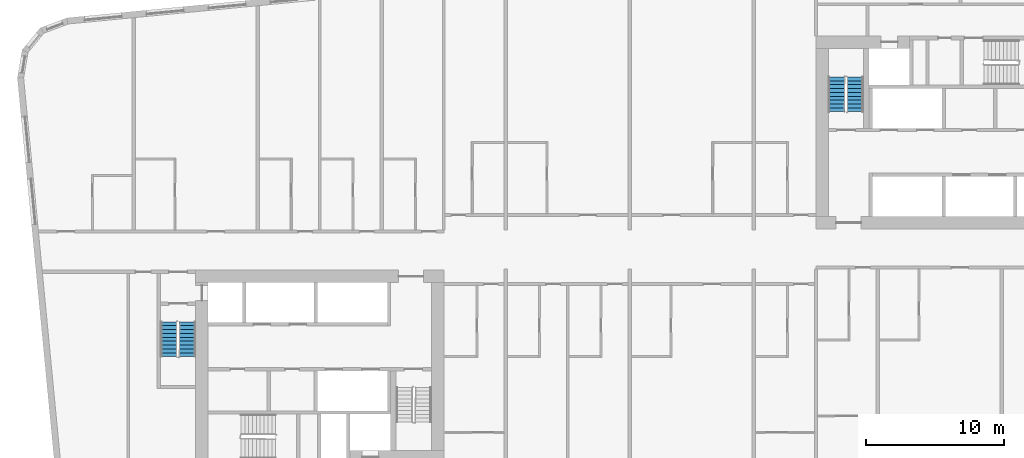
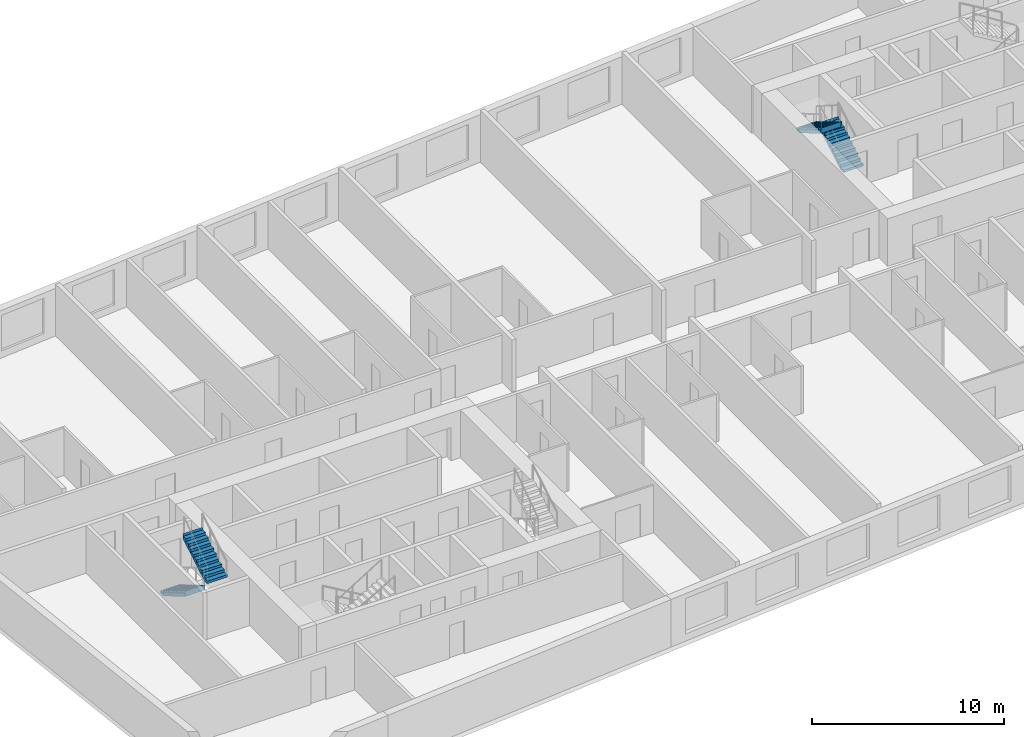
# One storey, part 10 of 12: 4 stair flights, 2 elements without a shape of their own.
"""IFC4 building model written with IfcOpenShell, lengths in metres."""

from ifc_helpers import new_model, si_unit, direction, frame, origin, place, context, subcontext, project, spatial, faceted_brep, material, type_object, element, aggregate, save


model = new_model("IFC4")

# Units and contexts
model_context = context("Model", 3, precision=1e-05, world=origin(), true_north=direction((0.0, 1.0)))
body_context = subcontext(model_context, "Body", "Model", "MODEL_VIEW")
ifc_project = project(units=[si_unit("LENGTHUNIT", "METRE"), si_unit("AREAUNIT", "SQUARE_METRE"), si_unit("VOLUMEUNIT", "CUBIC_METRE"), si_unit("PLANEANGLEUNIT", "RADIAN"), si_unit("MASSUNIT", "GRAM", prefix="KILO")], contexts=[model_context])

# Site, building, storey
site_placement = place(None, origin())
site = spatial("IfcSite", under=ifc_project, at=site_placement, CompositionType="ELEMENT")
building_placement = place(site_placement, origin())
building = spatial("IfcBuilding", under=site, at=building_placement, Name="Kajstack Hotel Tower", CompositionType="ELEMENT")
storey_placement = place(building_placement, frame((0.0, 0.0, 183.39990234375)))
storey = spatial("IfcBuildingStorey", under=building, at=storey_placement, Name="L43", CompositionType="ELEMENT", Elevation=183.39990234375)

# Stair, stair flights
ifc_material = material(Name="Concrete C40/50", Category="concrete")
stair_type = type_object("IfcStairType", Name="Exit stair 1200", PredefinedType="HALF_TURN_STAIR", material=ifc_material)
stair_1_placement = place(storey_placement, origin())
stair_1 = element("IfcStair", 1, at=stair_1_placement, inside=storey, type_object=stair_type, Name="L43 stair W1", PredefinedType="HALF_TURN_STAIR")
stair_flight_type = type_object("IfcStairFlightType", Name="Exit stair flight 1200", PredefinedType="STRAIGHT", material=ifc_material)
stair_flight_1_placement = place(storey_placement, frame((-33.449951171875, -5.25, 0.0), z_axis=(0.0, 0.0, 1.0), x_axis=(0.0, -1.0, 0.0)))
stair_flight_1 = element("IfcStairFlight", 2, at=stair_flight_1_placement, type_object=stair_flight_type, Name="W1 flight 1", NumberOfRisers=10, NumberOfTreads=9, PredefinedType="STRAIGHT", RiserHeight=0.165, TreadLength=0.28, context=body_context, shape_type="Brep", body=[
    faceted_brep([(0.295654296875, -0.60009765625, 0.0), (2.5205078125, -0.60009765625, 1.31103515625), (2.5205078125, -0.60009765625, 1.64990234375), (2.52001953125, -0.60009765625, 1.64990234375), (2.52001953125, -0.60009765625, 1.485107421875), (2.239990234375, -0.60009765625, 1.485107421875), (2.239990234375, -0.60009765625, 1.320068359375), (1.9599609375, -0.60009765625, 1.320068359375), (1.9599609375, -0.60009765625, 1.155029296875), (1.679931640625, -0.60009765625, 1.155029296875), (1.679931640625, -0.60009765625, 0.989990234375), (1.39990234375, -0.60009765625, 0.989990234375), (1.39990234375, -0.60009765625, 0.824951171875), (1.1201171875, -0.60009765625, 0.824951171875), (1.1201171875, -0.60009765625, 0.659912109375), (0.840087890625, -0.60009765625, 0.659912109375), (0.840087890625, -0.60009765625, 0.4951171875), (0.56005859375, -0.60009765625, 0.4951171875), (0.56005859375, -0.60009765625, 0.330078125), (0.280029296875, -0.60009765625, 0.330078125), (0.280029296875, -0.60009765625, 0.1650390625), (-0.00048828125, -0.60009765625, 0.1650390625), (-0.00048828125, -0.60009765625, 0.0), (-0.00048828125, 0.60009765625, 0.0), (-0.00048828125, 0.60009765625, 0.1650390625), (0.280029296875, 0.60009765625, 0.1650390625), (0.280029296875, 0.60009765625, 0.330078125), (0.56005859375, 0.60009765625, 0.330078125), (0.56005859375, 0.60009765625, 0.4951171875), (0.840087890625, 0.60009765625, 0.4951171875), (0.840087890625, 0.60009765625, 0.659912109375), (1.1201171875, 0.60009765625, 0.659912109375), (1.1201171875, 0.60009765625, 0.824951171875), (1.39990234375, 0.60009765625, 0.824951171875), (1.39990234375, 0.60009765625, 0.989990234375), (1.679931640625, 0.60009765625, 0.989990234375), (1.679931640625, 0.60009765625, 1.155029296875), (1.9599609375, 0.60009765625, 1.155029296875), (1.9599609375, 0.60009765625, 1.320068359375), (2.239990234375, 0.60009765625, 1.320068359375), (2.239990234375, 0.60009765625, 1.485107421875), (2.52001953125, 0.60009765625, 1.485107421875), (2.52001953125, 0.60009765625, 1.64990234375), (2.5205078125, 0.60009765625, 1.64990234375), (2.5205078125, 0.60009765625, 1.31103515625), (0.295654296875, 0.60009765625, 0.0), (-0.00048828125, -0.300048828125, 0.1650390625), (-0.00048828125, 0.0, 0.1650390625), (-0.00048828125, 0.300048828125, 0.1650390625), (-0.00048828125, 0.300048828125, 0.0), (-0.00048828125, 0.0, 0.0), (-0.00048828125, -0.300048828125, 0.0), (0.280029296875, -0.300048828125, 0.1650390625), (0.280029296875, 0.0, 0.1650390625), (0.280029296875, 0.300048828125, 0.1650390625), (0.280029296875, -0.300048828125, 0.330078125), (0.280029296875, 0.0, 0.330078125), (0.280029296875, 0.300048828125, 0.330078125), (0.56005859375, -0.300048828125, 0.330078125), (0.56005859375, 0.0, 0.330078125), (0.56005859375, 0.300048828125, 0.330078125), (0.56005859375, -0.300048828125, 0.4951171875), (0.56005859375, 0.0, 0.4951171875), (0.56005859375, 0.300048828125, 0.4951171875), (0.840087890625, -0.300048828125, 0.4951171875), (0.840087890625, 0.0, 0.4951171875), (0.840087890625, 0.300048828125, 0.4951171875), (0.840087890625, -0.300048828125, 0.659912109375), (0.840087890625, 0.0, 0.659912109375), (0.840087890625, 0.300048828125, 0.659912109375), (1.1201171875, -0.300048828125, 0.659912109375), (1.1201171875, 0.0, 0.659912109375), (1.1201171875, 0.300048828125, 0.659912109375), (1.1201171875, -0.300048828125, 0.824951171875), (1.1201171875, 0.0, 0.824951171875), (1.1201171875, 0.300048828125, 0.824951171875), (1.39990234375, -0.300048828125, 0.824951171875), (1.39990234375, 0.0, 0.824951171875), (1.39990234375, 0.300048828125, 0.824951171875), (1.39990234375, -0.300048828125, 0.989990234375), (1.39990234375, 0.0, 0.989990234375), (1.39990234375, 0.300048828125, 0.989990234375), (1.679931640625, -0.300048828125, 0.989990234375), (1.679931640625, 0.0, 0.989990234375), (1.679931640625, 0.300048828125, 0.989990234375), (1.679931640625, -0.300048828125, 1.155029296875), (1.679931640625, 0.0, 1.155029296875), (1.679931640625, 0.300048828125, 1.155029296875), (1.9599609375, -0.300048828125, 1.155029296875), (1.9599609375, 0.0, 1.155029296875), (1.9599609375, 0.300048828125, 1.155029296875), (1.9599609375, -0.300048828125, 1.320068359375), (1.9599609375, 0.0, 1.320068359375), (1.9599609375, 0.300048828125, 1.320068359375), (2.239990234375, -0.300048828125, 1.320068359375), (2.239990234375, 0.0, 1.320068359375), (2.239990234375, 0.300048828125, 1.320068359375), (2.239990234375, -0.300048828125, 1.485107421875), (2.239990234375, 0.0, 1.485107421875), (2.239990234375, 0.300048828125, 1.485107421875), (2.52001953125, -0.300048828125, 1.485107421875), (2.52001953125, 0.0, 1.485107421875), (2.52001953125, 0.300048828125, 1.485107421875), (2.52001953125, -0.300048828125, 1.64990234375), (2.52001953125, 0.0, 1.64990234375), (2.52001953125, 0.300048828125, 1.64990234375), (2.5205078125, -0.300048828125, 1.64990234375), (2.5205078125, 0.0, 1.64990234375), (2.5205078125, 0.300048828125, 1.64990234375), (2.5205078125, -0.300048828125, 1.31103515625), (2.5205078125, 0.0, 1.31103515625), (2.5205078125, 0.300048828125, 1.31103515625), (0.295654296875, -0.300048828125, 0.0), (0.295654296875, 0.0, 0.0), (0.295654296875, 0.300048828125, 0.0)], [[[0, 1, 2, 3, 4, 5, 6, 7, 8, 9, 10, 11, 12, 13, 14, 15, 16, 17, 18, 19, 20, 21, 22]], [[23, 24, 25, 26, 27, 28, 29, 30, 31, 32, 33, 34, 35, 36, 37, 38, 39, 40, 41, 42, 43, 44, 45]], [[21, 46, 47, 48, 24, 23, 49, 50, 51, 22]], [[20, 52, 53, 54, 25, 24, 48, 47, 46, 21]], [[19, 55, 56, 57, 26, 25, 54, 53, 52, 20]], [[18, 58, 59, 60, 27, 26, 57, 56, 55, 19]], [[17, 61, 62, 63, 28, 27, 60, 59, 58, 18]], [[16, 64, 65, 66, 29, 28, 63, 62, 61, 17]], [[15, 67, 68, 69, 30, 29, 66, 65, 64, 16]], [[14, 70, 71, 72, 31, 30, 69, 68, 67, 15]], [[13, 73, 74, 75, 32, 31, 72, 71, 70, 14]], [[12, 76, 77, 78, 33, 32, 75, 74, 73, 13]], [[11, 79, 80, 81, 34, 33, 78, 77, 76, 12]], [[10, 82, 83, 84, 35, 34, 81, 80, 79, 11]], [[9, 85, 86, 87, 36, 35, 84, 83, 82, 10]], [[8, 88, 89, 90, 37, 36, 87, 86, 85, 9]], [[7, 91, 92, 93, 38, 37, 90, 89, 88, 8]], [[6, 94, 95, 96, 39, 38, 93, 92, 91, 7]], [[5, 97, 98, 99, 40, 39, 96, 95, 94, 6]], [[4, 100, 101, 102, 41, 40, 99, 98, 97, 5]], [[3, 103, 104, 105, 42, 41, 102, 101, 100, 4]], [[2, 106, 107, 108, 43, 42, 105, 104, 103, 3]], [[1, 109, 110, 111, 44, 43, 108, 107, 106, 2]], [[0, 112, 113, 114, 45, 44, 111, 110, 109, 1]], [[22, 51, 50, 49, 23, 45, 114, 113, 112, 0]]]),
])
stair_flight_2_placement = place(storey_placement, frame((-32.10009765625, -7.77001953125, 1.650146484375), z_axis=(0.0, 0.0, 1.0), x_axis=(0.0, 1.0, 0.0)))
stair_flight_2 = element("IfcStairFlight", 3, at=stair_flight_2_placement, type_object=stair_flight_type, Name="W1 flight 2", NumberOfRisers=10, NumberOfTreads=9, PredefinedType="STRAIGHT", RiserHeight=0.165, TreadLength=0.28, context=body_context, shape_type="Brep", body=[
    faceted_brep([(0.295654296875, -0.60009765625, 0.0), (2.5205078125, -0.60009765625, 1.31103515625), (2.5205078125, -0.60009765625, 1.64990234375), (2.52001953125, -0.60009765625, 1.64990234375), (2.52001953125, -0.60009765625, 1.485107421875), (2.239990234375, -0.60009765625, 1.485107421875), (2.239990234375, -0.60009765625, 1.320068359375), (1.9599609375, -0.60009765625, 1.320068359375), (1.9599609375, -0.60009765625, 1.155029296875), (1.679931640625, -0.60009765625, 1.155029296875), (1.679931640625, -0.60009765625, 0.989990234375), (1.39990234375, -0.60009765625, 0.989990234375), (1.39990234375, -0.60009765625, 0.824951171875), (1.1201171875, -0.60009765625, 0.824951171875), (1.1201171875, -0.60009765625, 0.659912109375), (0.840087890625, -0.60009765625, 0.659912109375), (0.840087890625, -0.60009765625, 0.4951171875), (0.56005859375, -0.60009765625, 0.4951171875), (0.56005859375, -0.60009765625, 0.330078125), (0.280029296875, -0.60009765625, 0.330078125), (0.280029296875, -0.60009765625, 0.1650390625), (-0.00048828125, -0.60009765625, 0.1650390625), (-0.00048828125, -0.60009765625, 0.0), (-0.00048828125, 0.60009765625, 0.0), (-0.00048828125, 0.60009765625, 0.1650390625), (0.280029296875, 0.60009765625, 0.1650390625), (0.280029296875, 0.60009765625, 0.330078125), (0.56005859375, 0.60009765625, 0.330078125), (0.56005859375, 0.60009765625, 0.4951171875), (0.840087890625, 0.60009765625, 0.4951171875), (0.840087890625, 0.60009765625, 0.659912109375), (1.1201171875, 0.60009765625, 0.659912109375), (1.1201171875, 0.60009765625, 0.824951171875), (1.39990234375, 0.60009765625, 0.824951171875), (1.39990234375, 0.60009765625, 0.989990234375), (1.679931640625, 0.60009765625, 0.989990234375), (1.679931640625, 0.60009765625, 1.155029296875), (1.9599609375, 0.60009765625, 1.155029296875), (1.9599609375, 0.60009765625, 1.320068359375), (2.239990234375, 0.60009765625, 1.320068359375), (2.239990234375, 0.60009765625, 1.485107421875), (2.52001953125, 0.60009765625, 1.485107421875), (2.52001953125, 0.60009765625, 1.64990234375), (2.5205078125, 0.60009765625, 1.64990234375), (2.5205078125, 0.60009765625, 1.31103515625), (0.295654296875, 0.60009765625, 0.0), (-0.00048828125, -0.300048828125, 0.1650390625), (-0.00048828125, 0.0, 0.1650390625), (-0.00048828125, 0.300048828125, 0.1650390625), (-0.00048828125, 0.300048828125, 0.0), (-0.00048828125, 0.0, 0.0), (-0.00048828125, -0.300048828125, 0.0), (0.280029296875, -0.300048828125, 0.1650390625), (0.280029296875, 0.0, 0.1650390625), (0.280029296875, 0.300048828125, 0.1650390625), (0.280029296875, -0.300048828125, 0.330078125), (0.280029296875, 0.0, 0.330078125), (0.280029296875, 0.300048828125, 0.330078125), (0.56005859375, -0.300048828125, 0.330078125), (0.56005859375, 0.0, 0.330078125), (0.56005859375, 0.300048828125, 0.330078125), (0.56005859375, -0.300048828125, 0.4951171875), (0.56005859375, 0.0, 0.4951171875), (0.56005859375, 0.300048828125, 0.4951171875), (0.840087890625, -0.300048828125, 0.4951171875), (0.840087890625, 0.0, 0.4951171875), (0.840087890625, 0.300048828125, 0.4951171875), (0.840087890625, -0.300048828125, 0.659912109375), (0.840087890625, 0.0, 0.659912109375), (0.840087890625, 0.300048828125, 0.659912109375), (1.1201171875, -0.300048828125, 0.659912109375), (1.1201171875, 0.0, 0.659912109375), (1.1201171875, 0.300048828125, 0.659912109375), (1.1201171875, -0.300048828125, 0.824951171875), (1.1201171875, 0.0, 0.824951171875), (1.1201171875, 0.300048828125, 0.824951171875), (1.39990234375, -0.300048828125, 0.824951171875), (1.39990234375, 0.0, 0.824951171875), (1.39990234375, 0.300048828125, 0.824951171875), (1.39990234375, -0.300048828125, 0.989990234375), (1.39990234375, 0.0, 0.989990234375), (1.39990234375, 0.300048828125, 0.989990234375), (1.679931640625, -0.300048828125, 0.989990234375), (1.679931640625, 0.0, 0.989990234375), (1.679931640625, 0.300048828125, 0.989990234375), (1.679931640625, -0.300048828125, 1.155029296875), (1.679931640625, 0.0, 1.155029296875), (1.679931640625, 0.300048828125, 1.155029296875), (1.9599609375, -0.300048828125, 1.155029296875), (1.9599609375, 0.0, 1.155029296875), (1.9599609375, 0.300048828125, 1.155029296875), (1.9599609375, -0.300048828125, 1.320068359375), (1.9599609375, 0.0, 1.320068359375), (1.9599609375, 0.300048828125, 1.320068359375), (2.239990234375, -0.300048828125, 1.320068359375), (2.239990234375, 0.0, 1.320068359375), (2.239990234375, 0.300048828125, 1.320068359375), (2.239990234375, -0.300048828125, 1.485107421875), (2.239990234375, 0.0, 1.485107421875), (2.239990234375, 0.300048828125, 1.485107421875), (2.52001953125, -0.300048828125, 1.485107421875), (2.52001953125, 0.0, 1.485107421875), (2.52001953125, 0.300048828125, 1.485107421875), (2.52001953125, -0.300048828125, 1.64990234375), (2.52001953125, 0.0, 1.64990234375), (2.52001953125, 0.300048828125, 1.64990234375), (2.5205078125, -0.300048828125, 1.64990234375), (2.5205078125, 0.0, 1.64990234375), (2.5205078125, 0.300048828125, 1.64990234375), (2.5205078125, -0.300048828125, 1.31103515625), (2.5205078125, 0.0, 1.31103515625), (2.5205078125, 0.300048828125, 1.31103515625), (0.295654296875, -0.300048828125, 0.0), (0.295654296875, 0.0, 0.0), (0.295654296875, 0.300048828125, 0.0)], [[[0, 1, 2, 3, 4, 5, 6, 7, 8, 9, 10, 11, 12, 13, 14, 15, 16, 17, 18, 19, 20, 21, 22]], [[23, 24, 25, 26, 27, 28, 29, 30, 31, 32, 33, 34, 35, 36, 37, 38, 39, 40, 41, 42, 43, 44, 45]], [[21, 46, 47, 48, 24, 23, 49, 50, 51, 22]], [[20, 52, 53, 54, 25, 24, 48, 47, 46, 21]], [[19, 55, 56, 57, 26, 25, 54, 53, 52, 20]], [[18, 58, 59, 60, 27, 26, 57, 56, 55, 19]], [[17, 61, 62, 63, 28, 27, 60, 59, 58, 18]], [[16, 64, 65, 66, 29, 28, 63, 62, 61, 17]], [[15, 67, 68, 69, 30, 29, 66, 65, 64, 16]], [[14, 70, 71, 72, 31, 30, 69, 68, 67, 15]], [[13, 73, 74, 75, 32, 31, 72, 71, 70, 14]], [[12, 76, 77, 78, 33, 32, 75, 74, 73, 13]], [[11, 79, 80, 81, 34, 33, 78, 77, 76, 12]], [[10, 82, 83, 84, 35, 34, 81, 80, 79, 11]], [[9, 85, 86, 87, 36, 35, 84, 83, 82, 10]], [[8, 88, 89, 90, 37, 36, 87, 86, 85, 9]], [[7, 91, 92, 93, 38, 37, 90, 89, 88, 8]], [[6, 94, 95, 96, 39, 38, 93, 92, 91, 7]], [[5, 97, 98, 99, 40, 39, 96, 95, 94, 6]], [[4, 100, 101, 102, 41, 40, 99, 98, 97, 5]], [[3, 103, 104, 105, 42, 41, 102, 101, 100, 4]], [[2, 106, 107, 108, 43, 42, 105, 104, 103, 3]], [[1, 109, 110, 111, 44, 43, 108, 107, 106, 2]], [[0, 112, 113, 114, 45, 44, 111, 110, 109, 1]], [[22, 51, 50, 49, 23, 45, 114, 113, 112, 0]]]),
])
aggregate(stair_1, [stair_flight_1, stair_flight_2])

stair_2_placement = place(storey_placement, origin())
stair_2 = element("IfcStair", 4, at=stair_2_placement, inside=storey, type_object=stair_type, Name="L43 stair E2", PredefinedType="HALF_TURN_STAIR")
stair_flight_3_placement = place(storey_placement, frame((16.35009765625, 10.0, 0.0), z_axis=(0.0, 0.0, 1.0), x_axis=(0.0, 1.0, 0.0)))
stair_flight_3 = element("IfcStairFlight", 5, at=stair_flight_3_placement, type_object=stair_flight_type, Name="E2 flight 1", NumberOfRisers=10, NumberOfTreads=9, PredefinedType="STRAIGHT", RiserHeight=0.165, TreadLength=0.28, context=body_context, shape_type="Brep", body=[
    faceted_brep([(0.295654296875, -0.60009765625, 0.0), (2.5205078125, -0.60009765625, 1.31103515625), (2.5205078125, -0.60009765625, 1.64990234375), (2.52001953125, -0.60009765625, 1.64990234375), (2.52001953125, -0.60009765625, 1.485107421875), (2.239990234375, -0.60009765625, 1.485107421875), (2.239990234375, -0.60009765625, 1.320068359375), (1.9599609375, -0.60009765625, 1.320068359375), (1.9599609375, -0.60009765625, 1.155029296875), (1.679931640625, -0.60009765625, 1.155029296875), (1.679931640625, -0.60009765625, 0.989990234375), (1.39990234375, -0.60009765625, 0.989990234375), (1.39990234375, -0.60009765625, 0.824951171875), (1.1201171875, -0.60009765625, 0.824951171875), (1.1201171875, -0.60009765625, 0.659912109375), (0.840087890625, -0.60009765625, 0.659912109375), (0.840087890625, -0.60009765625, 0.4951171875), (0.56005859375, -0.60009765625, 0.4951171875), (0.56005859375, -0.60009765625, 0.330078125), (0.280029296875, -0.60009765625, 0.330078125), (0.280029296875, -0.60009765625, 0.1650390625), (-0.00048828125, -0.60009765625, 0.1650390625), (-0.00048828125, -0.60009765625, 0.0), (-0.00048828125, 0.60009765625, 0.0), (-0.00048828125, 0.60009765625, 0.1650390625), (0.280029296875, 0.60009765625, 0.1650390625), (0.280029296875, 0.60009765625, 0.330078125), (0.56005859375, 0.60009765625, 0.330078125), (0.56005859375, 0.60009765625, 0.4951171875), (0.840087890625, 0.60009765625, 0.4951171875), (0.840087890625, 0.60009765625, 0.659912109375), (1.1201171875, 0.60009765625, 0.659912109375), (1.1201171875, 0.60009765625, 0.824951171875), (1.39990234375, 0.60009765625, 0.824951171875), (1.39990234375, 0.60009765625, 0.989990234375), (1.679931640625, 0.60009765625, 0.989990234375), (1.679931640625, 0.60009765625, 1.155029296875), (1.9599609375, 0.60009765625, 1.155029296875), (1.9599609375, 0.60009765625, 1.320068359375), (2.239990234375, 0.60009765625, 1.320068359375), (2.239990234375, 0.60009765625, 1.485107421875), (2.52001953125, 0.60009765625, 1.485107421875), (2.52001953125, 0.60009765625, 1.64990234375), (2.5205078125, 0.60009765625, 1.64990234375), (2.5205078125, 0.60009765625, 1.31103515625), (0.295654296875, 0.60009765625, 0.0), (-0.00048828125, -0.300048828125, 0.1650390625), (-0.00048828125, 0.0, 0.1650390625), (-0.00048828125, 0.300048828125, 0.1650390625), (-0.00048828125, 0.300048828125, 0.0), (-0.00048828125, 0.0, 0.0), (-0.00048828125, -0.300048828125, 0.0), (0.280029296875, -0.300048828125, 0.1650390625), (0.280029296875, 0.0, 0.1650390625), (0.280029296875, 0.300048828125, 0.1650390625), (0.280029296875, -0.300048828125, 0.330078125), (0.280029296875, 0.0, 0.330078125), (0.280029296875, 0.300048828125, 0.330078125), (0.56005859375, -0.300048828125, 0.330078125), (0.56005859375, 0.0, 0.330078125), (0.56005859375, 0.300048828125, 0.330078125), (0.56005859375, -0.300048828125, 0.4951171875), (0.56005859375, 0.0, 0.4951171875), (0.56005859375, 0.300048828125, 0.4951171875), (0.840087890625, -0.300048828125, 0.4951171875), (0.840087890625, 0.0, 0.4951171875), (0.840087890625, 0.300048828125, 0.4951171875), (0.840087890625, -0.300048828125, 0.659912109375), (0.840087890625, 0.0, 0.659912109375), (0.840087890625, 0.300048828125, 0.659912109375), (1.1201171875, -0.300048828125, 0.659912109375), (1.1201171875, 0.0, 0.659912109375), (1.1201171875, 0.300048828125, 0.659912109375), (1.1201171875, -0.300048828125, 0.824951171875), (1.1201171875, 0.0, 0.824951171875), (1.1201171875, 0.300048828125, 0.824951171875), (1.39990234375, -0.300048828125, 0.824951171875), (1.39990234375, 0.0, 0.824951171875), (1.39990234375, 0.300048828125, 0.824951171875), (1.39990234375, -0.300048828125, 0.989990234375), (1.39990234375, 0.0, 0.989990234375), (1.39990234375, 0.300048828125, 0.989990234375), (1.679931640625, -0.300048828125, 0.989990234375), (1.679931640625, 0.0, 0.989990234375), (1.679931640625, 0.300048828125, 0.989990234375), (1.679931640625, -0.300048828125, 1.155029296875), (1.679931640625, 0.0, 1.155029296875), (1.679931640625, 0.300048828125, 1.155029296875), (1.9599609375, -0.300048828125, 1.155029296875), (1.9599609375, 0.0, 1.155029296875), (1.9599609375, 0.300048828125, 1.155029296875), (1.9599609375, -0.300048828125, 1.320068359375), (1.9599609375, 0.0, 1.320068359375), (1.9599609375, 0.300048828125, 1.320068359375), (2.239990234375, -0.300048828125, 1.320068359375), (2.239990234375, 0.0, 1.320068359375), (2.239990234375, 0.300048828125, 1.320068359375), (2.239990234375, -0.300048828125, 1.485107421875), (2.239990234375, 0.0, 1.485107421875), (2.239990234375, 0.300048828125, 1.485107421875), (2.52001953125, -0.300048828125, 1.485107421875), (2.52001953125, 0.0, 1.485107421875), (2.52001953125, 0.300048828125, 1.485107421875), (2.52001953125, -0.300048828125, 1.64990234375), (2.52001953125, 0.0, 1.64990234375), (2.52001953125, 0.300048828125, 1.64990234375), (2.5205078125, -0.300048828125, 1.64990234375), (2.5205078125, 0.0, 1.64990234375), (2.5205078125, 0.300048828125, 1.64990234375), (2.5205078125, -0.300048828125, 1.31103515625), (2.5205078125, 0.0, 1.31103515625), (2.5205078125, 0.300048828125, 1.31103515625), (0.295654296875, -0.300048828125, 0.0), (0.295654296875, 0.0, 0.0), (0.295654296875, 0.300048828125, 0.0)], [[[0, 1, 2, 3, 4, 5, 6, 7, 8, 9, 10, 11, 12, 13, 14, 15, 16, 17, 18, 19, 20, 21, 22]], [[23, 24, 25, 26, 27, 28, 29, 30, 31, 32, 33, 34, 35, 36, 37, 38, 39, 40, 41, 42, 43, 44, 45]], [[21, 46, 47, 48, 24, 23, 49, 50, 51, 22]], [[20, 52, 53, 54, 25, 24, 48, 47, 46, 21]], [[19, 55, 56, 57, 26, 25, 54, 53, 52, 20]], [[18, 58, 59, 60, 27, 26, 57, 56, 55, 19]], [[17, 61, 62, 63, 28, 27, 60, 59, 58, 18]], [[16, 64, 65, 66, 29, 28, 63, 62, 61, 17]], [[15, 67, 68, 69, 30, 29, 66, 65, 64, 16]], [[14, 70, 71, 72, 31, 30, 69, 68, 67, 15]], [[13, 73, 74, 75, 32, 31, 72, 71, 70, 14]], [[12, 76, 77, 78, 33, 32, 75, 74, 73, 13]], [[11, 79, 80, 81, 34, 33, 78, 77, 76, 12]], [[10, 82, 83, 84, 35, 34, 81, 80, 79, 11]], [[9, 85, 86, 87, 36, 35, 84, 83, 82, 10]], [[8, 88, 89, 90, 37, 36, 87, 86, 85, 9]], [[7, 91, 92, 93, 38, 37, 90, 89, 88, 8]], [[6, 94, 95, 96, 39, 38, 93, 92, 91, 7]], [[5, 97, 98, 99, 40, 39, 96, 95, 94, 6]], [[4, 100, 101, 102, 41, 40, 99, 98, 97, 5]], [[3, 103, 104, 105, 42, 41, 102, 101, 100, 4]], [[2, 106, 107, 108, 43, 42, 105, 104, 103, 3]], [[1, 109, 110, 111, 44, 43, 108, 107, 106, 2]], [[0, 112, 113, 114, 45, 44, 111, 110, 109, 1]], [[22, 51, 50, 49, 23, 45, 114, 113, 112, 0]]]),
])
stair_flight_4_placement = place(storey_placement, frame((15.0, 12.52001953125, 1.650146484375), z_axis=(0.0, 0.0, 1.0), x_axis=(0.0, -1.0, 0.0)))
stair_flight_4 = element("IfcStairFlight", 6, at=stair_flight_4_placement, type_object=stair_flight_type, Name="E2 flight 2", NumberOfRisers=10, NumberOfTreads=9, PredefinedType="STRAIGHT", RiserHeight=0.165, TreadLength=0.28, context=body_context, shape_type="Brep", body=[
    faceted_brep([(0.295654296875, -0.60009765625, 0.0), (2.5205078125, -0.60009765625, 1.31103515625), (2.5205078125, -0.60009765625, 1.64990234375), (2.52001953125, -0.60009765625, 1.64990234375), (2.52001953125, -0.60009765625, 1.485107421875), (2.239990234375, -0.60009765625, 1.485107421875), (2.239990234375, -0.60009765625, 1.320068359375), (1.9599609375, -0.60009765625, 1.320068359375), (1.9599609375, -0.60009765625, 1.155029296875), (1.679931640625, -0.60009765625, 1.155029296875), (1.679931640625, -0.60009765625, 0.989990234375), (1.39990234375, -0.60009765625, 0.989990234375), (1.39990234375, -0.60009765625, 0.824951171875), (1.1201171875, -0.60009765625, 0.824951171875), (1.1201171875, -0.60009765625, 0.659912109375), (0.840087890625, -0.60009765625, 0.659912109375), (0.840087890625, -0.60009765625, 0.4951171875), (0.56005859375, -0.60009765625, 0.4951171875), (0.56005859375, -0.60009765625, 0.330078125), (0.280029296875, -0.60009765625, 0.330078125), (0.280029296875, -0.60009765625, 0.1650390625), (-0.00048828125, -0.60009765625, 0.1650390625), (-0.00048828125, -0.60009765625, 0.0), (-0.00048828125, 0.60009765625, 0.0), (-0.00048828125, 0.60009765625, 0.1650390625), (0.280029296875, 0.60009765625, 0.1650390625), (0.280029296875, 0.60009765625, 0.330078125), (0.56005859375, 0.60009765625, 0.330078125), (0.56005859375, 0.60009765625, 0.4951171875), (0.840087890625, 0.60009765625, 0.4951171875), (0.840087890625, 0.60009765625, 0.659912109375), (1.1201171875, 0.60009765625, 0.659912109375), (1.1201171875, 0.60009765625, 0.824951171875), (1.39990234375, 0.60009765625, 0.824951171875), (1.39990234375, 0.60009765625, 0.989990234375), (1.679931640625, 0.60009765625, 0.989990234375), (1.679931640625, 0.60009765625, 1.155029296875), (1.9599609375, 0.60009765625, 1.155029296875), (1.9599609375, 0.60009765625, 1.320068359375), (2.239990234375, 0.60009765625, 1.320068359375), (2.239990234375, 0.60009765625, 1.485107421875), (2.52001953125, 0.60009765625, 1.485107421875), (2.52001953125, 0.60009765625, 1.64990234375), (2.5205078125, 0.60009765625, 1.64990234375), (2.5205078125, 0.60009765625, 1.31103515625), (0.295654296875, 0.60009765625, 0.0), (-0.00048828125, -0.300048828125, 0.1650390625), (-0.00048828125, 0.0, 0.1650390625), (-0.00048828125, 0.300048828125, 0.1650390625), (-0.00048828125, 0.300048828125, 0.0), (-0.00048828125, 0.0, 0.0), (-0.00048828125, -0.300048828125, 0.0), (0.280029296875, -0.300048828125, 0.1650390625), (0.280029296875, 0.0, 0.1650390625), (0.280029296875, 0.300048828125, 0.1650390625), (0.280029296875, -0.300048828125, 0.330078125), (0.280029296875, 0.0, 0.330078125), (0.280029296875, 0.300048828125, 0.330078125), (0.56005859375, -0.300048828125, 0.330078125), (0.56005859375, 0.0, 0.330078125), (0.56005859375, 0.300048828125, 0.330078125), (0.56005859375, -0.300048828125, 0.4951171875), (0.56005859375, 0.0, 0.4951171875), (0.56005859375, 0.300048828125, 0.4951171875), (0.840087890625, -0.300048828125, 0.4951171875), (0.840087890625, 0.0, 0.4951171875), (0.840087890625, 0.300048828125, 0.4951171875), (0.840087890625, -0.300048828125, 0.659912109375), (0.840087890625, 0.0, 0.659912109375), (0.840087890625, 0.300048828125, 0.659912109375), (1.1201171875, -0.300048828125, 0.659912109375), (1.1201171875, 0.0, 0.659912109375), (1.1201171875, 0.300048828125, 0.659912109375), (1.1201171875, -0.300048828125, 0.824951171875), (1.1201171875, 0.0, 0.824951171875), (1.1201171875, 0.300048828125, 0.824951171875), (1.39990234375, -0.300048828125, 0.824951171875), (1.39990234375, 0.0, 0.824951171875), (1.39990234375, 0.300048828125, 0.824951171875), (1.39990234375, -0.300048828125, 0.989990234375), (1.39990234375, 0.0, 0.989990234375), (1.39990234375, 0.300048828125, 0.989990234375), (1.679931640625, -0.300048828125, 0.989990234375), (1.679931640625, 0.0, 0.989990234375), (1.679931640625, 0.300048828125, 0.989990234375), (1.679931640625, -0.300048828125, 1.155029296875), (1.679931640625, 0.0, 1.155029296875), (1.679931640625, 0.300048828125, 1.155029296875), (1.9599609375, -0.300048828125, 1.155029296875), (1.9599609375, 0.0, 1.155029296875), (1.9599609375, 0.300048828125, 1.155029296875), (1.9599609375, -0.300048828125, 1.320068359375), (1.9599609375, 0.0, 1.320068359375), (1.9599609375, 0.300048828125, 1.320068359375), (2.239990234375, -0.300048828125, 1.320068359375), (2.239990234375, 0.0, 1.320068359375), (2.239990234375, 0.300048828125, 1.320068359375), (2.239990234375, -0.300048828125, 1.485107421875), (2.239990234375, 0.0, 1.485107421875), (2.239990234375, 0.300048828125, 1.485107421875), (2.52001953125, -0.300048828125, 1.485107421875), (2.52001953125, 0.0, 1.485107421875), (2.52001953125, 0.300048828125, 1.485107421875), (2.52001953125, -0.300048828125, 1.64990234375), (2.52001953125, 0.0, 1.64990234375), (2.52001953125, 0.300048828125, 1.64990234375), (2.5205078125, -0.300048828125, 1.64990234375), (2.5205078125, 0.0, 1.64990234375), (2.5205078125, 0.300048828125, 1.64990234375), (2.5205078125, -0.300048828125, 1.31103515625), (2.5205078125, 0.0, 1.31103515625), (2.5205078125, 0.300048828125, 1.31103515625), (0.295654296875, -0.300048828125, 0.0), (0.295654296875, 0.0, 0.0), (0.295654296875, 0.300048828125, 0.0)], [[[0, 1, 2, 3, 4, 5, 6, 7, 8, 9, 10, 11, 12, 13, 14, 15, 16, 17, 18, 19, 20, 21, 22]], [[23, 24, 25, 26, 27, 28, 29, 30, 31, 32, 33, 34, 35, 36, 37, 38, 39, 40, 41, 42, 43, 44, 45]], [[21, 46, 47, 48, 24, 23, 49, 50, 51, 22]], [[20, 52, 53, 54, 25, 24, 48, 47, 46, 21]], [[19, 55, 56, 57, 26, 25, 54, 53, 52, 20]], [[18, 58, 59, 60, 27, 26, 57, 56, 55, 19]], [[17, 61, 62, 63, 28, 27, 60, 59, 58, 18]], [[16, 64, 65, 66, 29, 28, 63, 62, 61, 17]], [[15, 67, 68, 69, 30, 29, 66, 65, 64, 16]], [[14, 70, 71, 72, 31, 30, 69, 68, 67, 15]], [[13, 73, 74, 75, 32, 31, 72, 71, 70, 14]], [[12, 76, 77, 78, 33, 32, 75, 74, 73, 13]], [[11, 79, 80, 81, 34, 33, 78, 77, 76, 12]], [[10, 82, 83, 84, 35, 34, 81, 80, 79, 11]], [[9, 85, 86, 87, 36, 35, 84, 83, 82, 10]], [[8, 88, 89, 90, 37, 36, 87, 86, 85, 9]], [[7, 91, 92, 93, 38, 37, 90, 89, 88, 8]], [[6, 94, 95, 96, 39, 38, 93, 92, 91, 7]], [[5, 97, 98, 99, 40, 39, 96, 95, 94, 6]], [[4, 100, 101, 102, 41, 40, 99, 98, 97, 5]], [[3, 103, 104, 105, 42, 41, 102, 101, 100, 4]], [[2, 106, 107, 108, 43, 42, 105, 104, 103, 3]], [[1, 109, 110, 111, 44, 43, 108, 107, 106, 2]], [[0, 112, 113, 114, 45, 44, 111, 110, 109, 1]], [[22, 51, 50, 49, 23, 45, 114, 113, 112, 0]]]),
])
aggregate(stair_2, [stair_flight_3, stair_flight_4])

save(model, "model.ifc")
